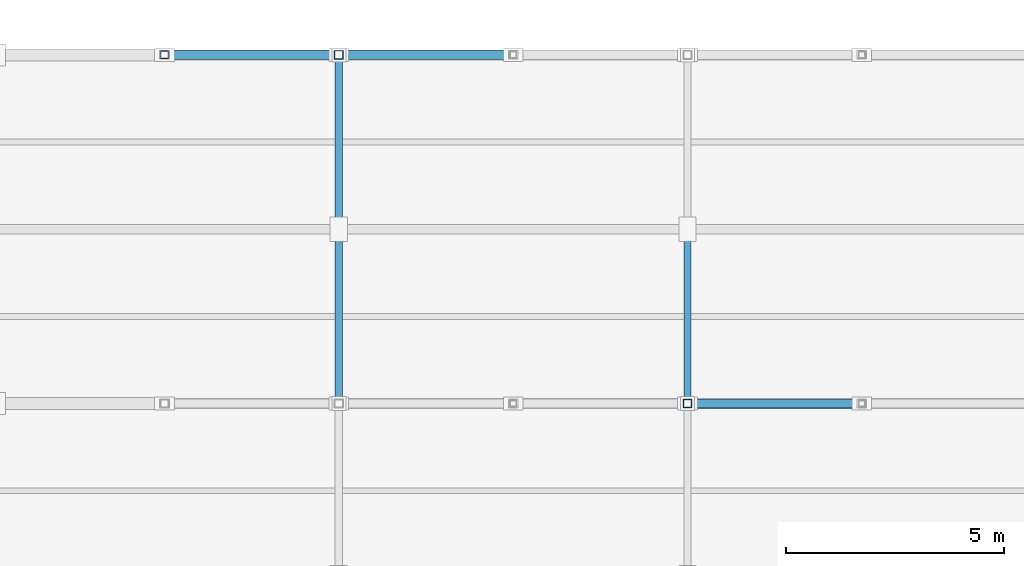
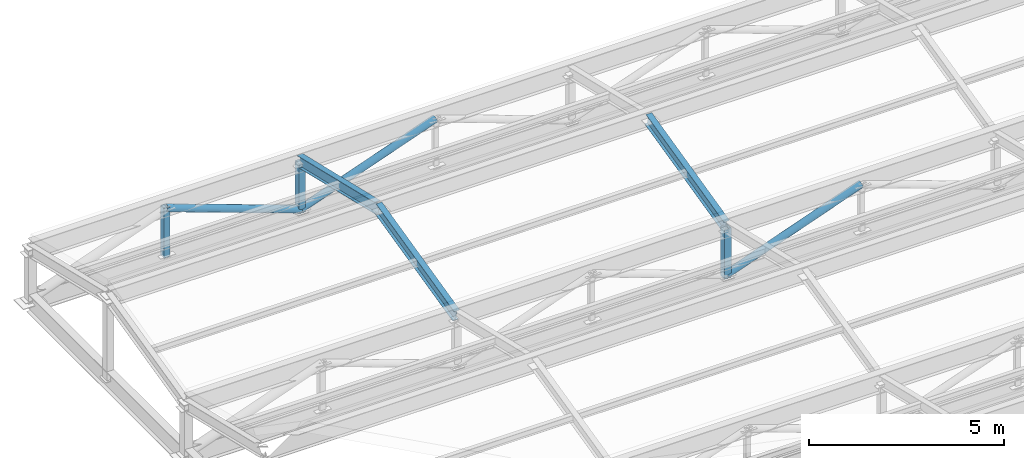
# One storey, part 61 of 112: 9 members.
"""IFC4 building model written with IfcOpenShell, lengths in metres."""

from ifc_helpers import new_model, si_unit, direction, frame, origin, origin_2d, place, context, subcontext, project, spatial, hollow_rectangle, hollow_circle, i_section, extrude, material, material_profile, profile_set, type_object, element, save


model = new_model("IFC4")

# Units and contexts
model_context = context("Model", 3, precision=1e-05, world=origin(), true_north=direction((0.0, 1.0)))
body_context = subcontext(model_context, "Body", "Model", "MODEL_VIEW")
ifc_project = project(units=[si_unit("LENGTHUNIT", "METRE"), si_unit("AREAUNIT", "SQUARE_METRE"), si_unit("VOLUMEUNIT", "CUBIC_METRE"), si_unit("PLANEANGLEUNIT", "RADIAN"), si_unit("MASSUNIT", "GRAM", prefix="KILO")], contexts=[model_context])

# Site, building, storey
site_placement = place(None, origin())
site = spatial("IfcSite", under=ifc_project, at=site_placement, CompositionType="ELEMENT")
building_placement = place(site_placement, origin())
building = spatial("IfcBuilding", under=site, at=building_placement, Name="Celadon Cloister-Ring School", CompositionType="ELEMENT")
storey_placement = place(building_placement, frame((0.0, 0.0, 8.5)))
storey = spatial("IfcBuildingStorey", under=building, at=storey_placement, Name="L02", CompositionType="ELEMENT", Elevation=8.5)

# Members
ifc_material_1 = material(Name="Structural steel S355JR", Category="steel")
ifc_material_profile_1 = material_profile(ifc_material_1, hollow_rectangle(XDim=0.199951171875, YDim=0.199951171875, WallThickness=0.010009765625, at=origin_2d()), Name="HSS200X200X10")
ifc_profile_set_1 = profile_set([ifc_material_profile_1], Name="Structural steel S355JR")
member_type_1 = type_object("IfcMemberType", Name="MB-03", PredefinedType="BRACE", material=ifc_profile_set_1)
for number, where, z_axis, x_axis, name in (
    (1, (158.0, 106.0, 0.919921875), (0.0, 0.0, 1.0), (1.0, 0.0, 0.0), "Structural Member 0477"),
    (2, (150.0, 114.0, 0.919921875), (0.0, 0.0, 1.0), (1.0, 0.0, 0.0), "Structural Member 0494"),
):
    element("IfcMember", number, at=place(storey_placement, frame(where, z_axis=z_axis, x_axis=x_axis)), inside=storey, type_object=member_type_1, Name=name, PredefinedType="BRACE", context=body_context, shape_type="SweptSolid", body=[
        extrude(hollow_rectangle(XDim=0.199951171875, YDim=0.199951171875, WallThickness=0.010009765625, at=origin_2d()), origin(), (0.0, 0.0, 1.0), 1.56005859375),
    ])
ifc_material_2 = material(Name="Structural steel S355JR", Category="steel")
ifc_material_profile_2 = material_profile(ifc_material_2, hollow_rectangle(XDim=0.179931640625, YDim=0.179931640625, WallThickness=0.008056640625, at=origin_2d()), Name="HSS180X180X8")
ifc_profile_set_2 = profile_set([ifc_material_profile_2], Name="Structural steel S355JR")
member_type_2 = type_object("IfcMemberType", Name="MB-04", PredefinedType="BRACE", material=ifc_profile_set_2)
member_placement = place(storey_placement, frame((146.0, 114.0, 0.919921875), z_axis=(0.0, 0.0, 1.0), x_axis=(1.0, 0.0, 0.0)))
element("IfcMember", 3, at=member_placement, inside=storey, type_object=member_type_2, Name="Structural Member 0492", PredefinedType="BRACE", context=body_context, shape_type="SweptSolid", body=[
    extrude(hollow_rectangle(XDim=0.179931640625, YDim=0.179931640625, WallThickness=0.008056640625, at=origin_2d()), origin(), (0.0, 0.0, 1.0), 1.56005859375),
])
ifc_material_3 = material(Name="Structural steel S355JR", Category="steel")
ifc_material_profile_3 = material_profile(ifc_material_3, hollow_circle(Radius=0.109619140625, WallThickness=0.010009765625, at=origin_2d()), Name="CHS219.1X10")
ifc_profile_set_3 = profile_set([ifc_material_profile_3], Name="Structural steel S355JR")
member_type_3 = type_object("IfcMemberType", Name="MB-08", PredefinedType="BRACE", material=ifc_profile_set_3)
for number, where, z_axis, x_axis, name in (
    (4, (158.0, 106.0, 0.97998046875), (0.94089180426, 0.0, 0.338707266939), (0.0, 1.0, 0.0), "Structural Member 0484"),
    (5, (146.0, 114.0, 2.419921875), (0.94089180426, 0.0, -0.338707266939), (0.0, 1.0, 0.0), "Structural Member 0500"),
    (6, (150.0, 114.0, 0.97998046875), (0.94089180426, 0.0, 0.338707266939), (0.0, 1.0, 0.0), "Structural Member 0501"),
):
    element("IfcMember", number, at=place(storey_placement, frame(where, z_axis=z_axis, x_axis=x_axis)), inside=storey, type_object=member_type_3, Name=name, PredefinedType="BRACE", context=body_context, shape_type="SweptSolid", body=[
        extrude(hollow_circle(Radius=0.109619140625, WallThickness=0.010009765625, at=origin_2d()), origin(), (0.0, 0.0, 1.0), 4.251220703125),
    ])
ifc_material_4 = material(Name="Structural steel S355JR", Category="steel")
ifc_material_profile_4 = material_profile(ifc_material_4, i_section(OverallWidth=0.1708984375, OverallDepth=0.35498046875, WebThickness=0.007080078125, FlangeThickness=0.01171875, at=origin_2d()), Name="W360X51")
ifc_profile_set_4 = profile_set([ifc_material_profile_4], Name="Structural steel S355JR")
member_type_4 = type_object("IfcMemberType", Name="MR-05", PredefinedType="RAFTER", material=ifc_profile_set_4)
for number, where, z_axis, x_axis, name in (
    (7, (150.0, 106.0, 2.5), (0.0, 0.97293922076, 0.231061188231), (-1.0, 0.0, 0.0), "Structural Member 0572"),
    (8, (150.0, 110.0, 3.449951171875), (0.0, 0.97293922076, -0.231061188231), (-1.0, 0.0, 0.0), "Structural Member 0573"),
    (9, (158.0, 106.0, 2.5), (0.0, 0.97293922076, 0.231061188231), (-1.0, 0.0, 0.0), "Structural Member 0574"),
):
    element("IfcMember", number, at=place(storey_placement, frame(where, z_axis=z_axis, x_axis=x_axis)), inside=storey, type_object=member_type_4, Name=name, PredefinedType="RAFTER", context=body_context, shape_type="SweptSolid", body=[
        extrude(i_section(OverallWidth=0.1708984375, OverallDepth=0.35498046875, WebThickness=0.007080078125, FlangeThickness=0.01171875, at=origin_2d()), origin(), (0.0, 0.0, 1.0), 4.111328125),
    ])

save(model, "model.ifc")
